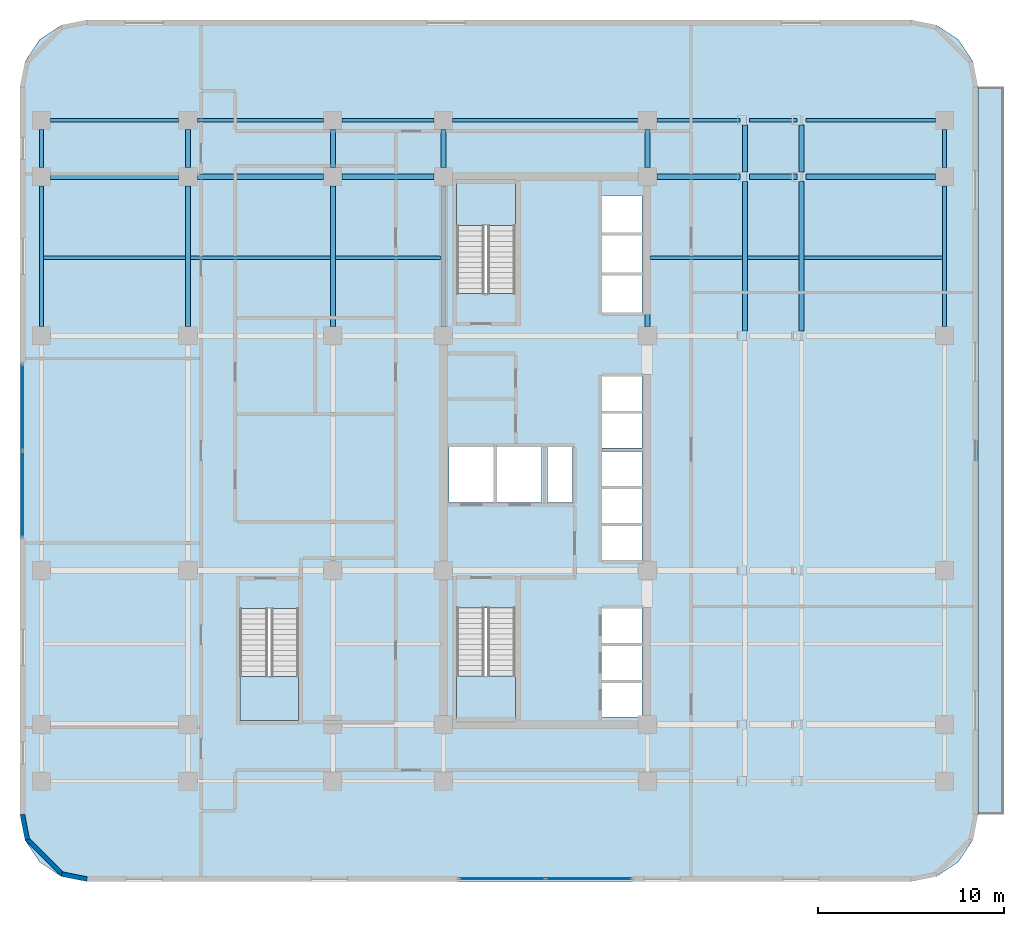
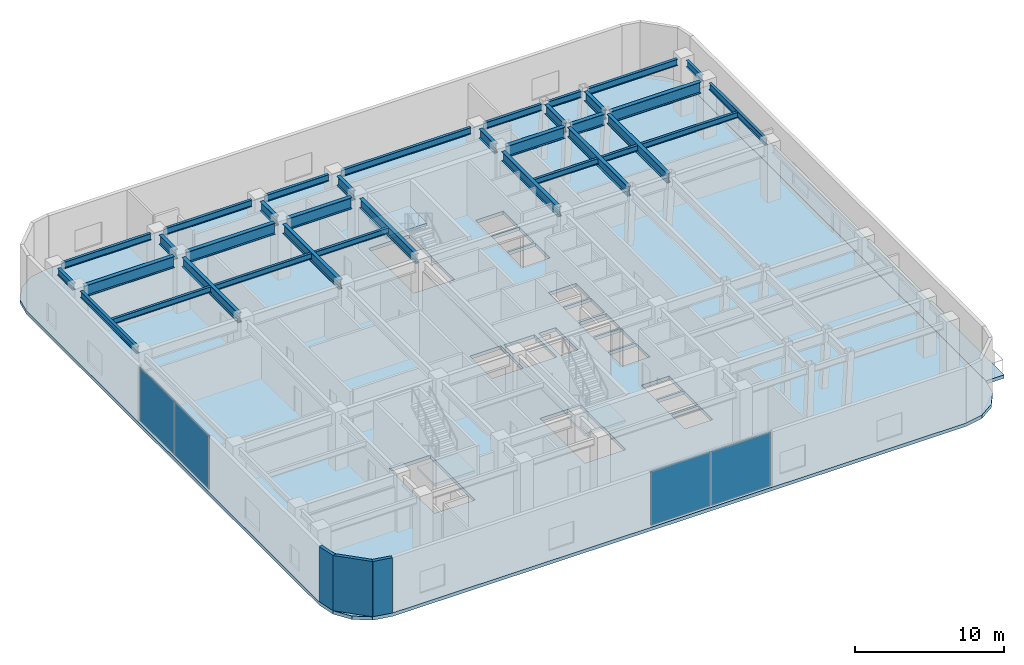
# One storey, part 5 of 12: 35 beams, 5 slabs, 4 plates, 3 walls, 5 elements without a shape of their own.
"""IFC4 building model written with IfcOpenShell, lengths in metres."""

from ifc_helpers import new_model, si_unit, direction, frame, frame_2d, origin, origin_2d, place, context, subcontext, project, spatial, polyline, rectangle, i_section, outline, extrude, material, layer, layer_set, material_profile, profile_set, type_object, element, aggregate, save


model = new_model("IFC4")

# Units and contexts
model_context = context("Model", 3, precision=1e-05, world=origin(), true_north=direction((0.0, 1.0)))
body_context = subcontext(model_context, "Body", "Model", "MODEL_VIEW")
ifc_project = project(units=[si_unit("LENGTHUNIT", "METRE"), si_unit("AREAUNIT", "SQUARE_METRE"), si_unit("VOLUMEUNIT", "CUBIC_METRE"), si_unit("PLANEANGLEUNIT", "RADIAN"), si_unit("MASSUNIT", "GRAM", prefix="KILO")], contexts=[model_context])

# Site, building, storey
site_placement = place(None, origin())
site = spatial("IfcSite", under=ifc_project, at=site_placement, CompositionType="ELEMENT")
building_placement = place(site_placement, origin())
building = spatial("IfcBuilding", under=site, at=building_placement, Name="Ochreholt Gables", CompositionType="ELEMENT")
storey_placement = place(building_placement, frame((0.0, 0.0, 9.60009765625)))
storey = spatial("IfcBuildingStorey", under=building, at=storey_placement, Name="L02", CompositionType="ELEMENT", Elevation=9.60009765625)

# Beams
ifc_material_1 = material(Name="Steel CSA G40.21 350W", Category="steel")
ifc_material_profile_1 = material_profile(ifc_material_1, i_section(OverallWidth=0.26806640625, OverallDepth=0.77001953125, WebThickness=0.015625, FlangeThickness=0.025390625, at=origin_2d()), Name="W760X196")
ifc_profile_set_1 = profile_set([ifc_material_profile_1], Name="Steel CSA G40.21 350W")
beam_type_1 = type_object("IfcBeamType", Name="BM-G-W760", PredefinedType="BEAM", material=ifc_profile_set_1)
beam_1_placement = place(storey_placement, frame((10.449951171875, 30.69970703125, 4.135009765625), z_axis=(0.0, 1.0, 0.0), x_axis=(-1.0, 0.0, 0.0)))
element("IfcBeam", 1, at=beam_1_placement, inside=storey, type_object=beam_type_1, Name="L02 Beam BG-L02-W2-Y4Y5", PredefinedType="BEAM", context=body_context, shape_type="SweptSolid", body=[
    extrude(i_section(OverallWidth=0.26806640625, OverallDepth=0.77001953125, WebThickness=0.015625, FlangeThickness=0.025390625, at=origin_2d()), origin(), (0.0, 0.0, 1.0), 7.55078125),
])
beam_2_placement = place(storey_placement, frame((10.449951171875, 39.24951171875, 4.135009765625), z_axis=(0.0, 1.0, 0.0), x_axis=(-1.0, 0.0, 0.0)))
element("IfcBeam", 2, at=beam_2_placement, inside=storey, type_object=beam_type_1, Name="L02 Beam BG-L02-W2-Y5Y6", PredefinedType="BEAM", context=body_context, shape_type="SweptSolid", body=[
    extrude(i_section(OverallWidth=0.26806640625, OverallDepth=0.77001953125, WebThickness=0.015625, FlangeThickness=0.025390625, at=origin_2d()), origin(), (0.0, 0.0, 1.0), 2.05078125),
])
beam_3_placement = place(storey_placement, frame((18.25, 30.69970703125, 4.135009765625), z_axis=(0.0, 1.0, 0.0), x_axis=(-1.0, 0.0, 0.0)))
element("IfcBeam", 3, at=beam_3_placement, inside=storey, type_object=beam_type_1, Name="L02 Beam BG-L02-W3-Y4Y5", PredefinedType="BEAM", context=body_context, shape_type="SweptSolid", body=[
    extrude(i_section(OverallWidth=0.26806640625, OverallDepth=0.77001953125, WebThickness=0.015625, FlangeThickness=0.025390625, at=origin_2d()), origin(), (0.0, 0.0, 1.0), 7.55078125),
])
beam_4_placement = place(storey_placement, frame((18.25, 39.24951171875, 4.135009765625), z_axis=(0.0, 1.0, 0.0), x_axis=(-1.0, 0.0, 0.0)))
element("IfcBeam", 4, at=beam_4_placement, inside=storey, type_object=beam_type_1, Name="L02 Beam BG-L02-W3-Y5Y6", PredefinedType="BEAM", context=body_context, shape_type="SweptSolid", body=[
    extrude(i_section(OverallWidth=0.26806640625, OverallDepth=0.77001953125, WebThickness=0.015625, FlangeThickness=0.025390625, at=origin_2d()), origin(), (0.0, 0.0, 1.0), 2.05078125),
])
beam_5_placement = place(storey_placement, frame((24.199951171875, 30.69970703125, 4.135009765625), z_axis=(0.0, 1.0, 0.0), x_axis=(-1.0, 0.0, 0.0)))
element("IfcBeam", 5, at=beam_5_placement, inside=storey, type_object=beam_type_1, Name="L02 Beam BG-L02-C1-Y4Y5", PredefinedType="BEAM", context=body_context, shape_type="SweptSolid", body=[
    extrude(i_section(OverallWidth=0.26806640625, OverallDepth=0.77001953125, WebThickness=0.015625, FlangeThickness=0.025390625, at=origin_2d()), origin(), (0.0, 0.0, 1.0), 7.55078125),
])
beam_6_placement = place(storey_placement, frame((24.199951171875, 39.24951171875, 4.135009765625), z_axis=(0.0, 1.0, 0.0), x_axis=(-1.0, 0.0, 0.0)))
element("IfcBeam", 6, at=beam_6_placement, inside=storey, type_object=beam_type_1, Name="L02 Beam BG-L02-C1-Y5Y6", PredefinedType="BEAM", context=body_context, shape_type="SweptSolid", body=[
    extrude(i_section(OverallWidth=0.26806640625, OverallDepth=0.77001953125, WebThickness=0.015625, FlangeThickness=0.025390625, at=origin_2d()), origin(), (0.0, 0.0, 1.0), 2.05078125),
])
beam_7_placement = place(storey_placement, frame((35.199951171875, 30.69970703125, 4.135009765625), z_axis=(0.0, 1.0, 0.0), x_axis=(-1.0, 0.0, 0.0)))
element("IfcBeam", 7, at=beam_7_placement, inside=storey, type_object=beam_type_1, Name="L02 Beam BG-L02-C2-Y4Y5", PredefinedType="BEAM", context=body_context, shape_type="SweptSolid", body=[
    extrude(i_section(OverallWidth=0.26806640625, OverallDepth=0.77001953125, WebThickness=0.015625, FlangeThickness=0.025390625, at=origin_2d()), origin(), (0.0, 0.0, 1.0), 7.55078125),
])
beam_8_placement = place(storey_placement, frame((35.199951171875, 39.24951171875, 4.135009765625), z_axis=(0.0, 1.0, 0.0), x_axis=(-1.0, 0.0, 0.0)))
element("IfcBeam", 8, at=beam_8_placement, inside=storey, type_object=beam_type_1, Name="L02 Beam BG-L02-C2-Y5Y6", PredefinedType="BEAM", context=body_context, shape_type="SweptSolid", body=[
    extrude(i_section(OverallWidth=0.26806640625, OverallDepth=0.77001953125, WebThickness=0.015625, FlangeThickness=0.025390625, at=origin_2d()), origin(), (0.0, 0.0, 1.0), 2.05078125),
])
beam_9_placement = place(storey_placement, frame((40.43994140625, 30.44970703125, 4.135009765625), z_axis=(0.0, 1.0, 0.0), x_axis=(-1.0, 0.0, 0.0)))
element("IfcBeam", 9, at=beam_9_placement, inside=storey, type_object=beam_type_1, Name="L02 Beam BG-L02-EM-Y4Y5", PredefinedType="BEAM", context=body_context, shape_type="SweptSolid", body=[
    extrude(i_section(OverallWidth=0.26806640625, OverallDepth=0.77001953125, WebThickness=0.015625, FlangeThickness=0.025390625, at=origin_2d()), origin(), (0.0, 0.0, 1.0), 8.05078125),
])
beam_10_placement = place(storey_placement, frame((40.43994140625, 38.99951171875, 4.135009765625), z_axis=(0.0, 1.0, 0.0), x_axis=(-1.0, 0.0, 0.0)))
element("IfcBeam", 10, at=beam_10_placement, inside=storey, type_object=beam_type_1, Name="L02 Beam BG-L02-EM-Y5Y6", PredefinedType="BEAM", context=body_context, shape_type="SweptSolid", body=[
    extrude(i_section(OverallWidth=0.26806640625, OverallDepth=0.77001953125, WebThickness=0.015625, FlangeThickness=0.025390625, at=origin_2d()), origin(), (0.0, 0.0, 1.0), 2.55078125),
])
beam_11_placement = place(storey_placement, frame((43.491943359375, 30.44970703125, 4.135009765625), z_axis=(0.0, 1.0, 0.0), x_axis=(-1.0, 0.0, 0.0)))
element("IfcBeam", 11, at=beam_11_placement, inside=storey, type_object=beam_type_1, Name="L02 Beam BG-L02-EE-Y4Y5", PredefinedType="BEAM", context=body_context, shape_type="SweptSolid", body=[
    extrude(i_section(OverallWidth=0.26806640625, OverallDepth=0.77001953125, WebThickness=0.015625, FlangeThickness=0.025390625, at=origin_2d()), origin(), (0.0, 0.0, 1.0), 8.05078125),
])
beam_12_placement = place(storey_placement, frame((43.491943359375, 38.99951171875, 4.135009765625), z_axis=(0.0, 1.0, 0.0), x_axis=(-1.0, 0.0, 0.0)))
element("IfcBeam", 12, at=beam_12_placement, inside=storey, type_object=beam_type_1, Name="L02 Beam BG-L02-EE-Y5Y6", PredefinedType="BEAM", context=body_context, shape_type="SweptSolid", body=[
    extrude(i_section(OverallWidth=0.26806640625, OverallDepth=0.77001953125, WebThickness=0.015625, FlangeThickness=0.025390625, at=origin_2d()), origin(), (0.0, 0.0, 1.0), 2.55078125),
])
ifc_material_profile_2 = material_profile(ifc_material_1, i_section(OverallWidth=0.30810546875, OverallDepth=0.927001953125, WebThickness=0.019287109375, FlangeThickness=0.031982421875, at=origin_2d()), Name="W920X289")
ifc_profile_set_2 = profile_set([ifc_material_profile_2], Name="Steel CSA G40.21 350W")
beam_type_2 = type_object("IfcBeamType", Name="BM-G-W920", PredefinedType="BEAM", material=ifc_profile_set_2)
beam_13_placement = place(storey_placement, frame((3.049560546875, 38.75, 4.056396484375), z_axis=(1.0, 0.0, 0.0), x_axis=(0.0, 1.0, 0.0)))
element("IfcBeam", 13, at=beam_13_placement, inside=storey, type_object=beam_type_2, Name="L02 Beam BG-L02-W1W2-Y5", PredefinedType="BEAM", context=body_context, shape_type="SweptSolid", body=[
    extrude(i_section(OverallWidth=0.30810546875, OverallDepth=0.927001953125, WebThickness=0.019287109375, FlangeThickness=0.031982421875, at=origin_2d()), origin(), (0.0, 0.0, 1.0), 6.90087890625),
])
beam_14_placement = place(storey_placement, frame((10.94970703125, 38.75, 4.056396484375), z_axis=(1.0, 0.0, 0.0), x_axis=(0.0, 1.0, 0.0)))
element("IfcBeam", 14, at=beam_14_placement, inside=storey, type_object=beam_type_2, Name="L02 Beam BG-L02-W2W3-Y5", PredefinedType="BEAM", context=body_context, shape_type="SweptSolid", body=[
    extrude(i_section(OverallWidth=0.30810546875, OverallDepth=0.927001953125, WebThickness=0.019287109375, FlangeThickness=0.031982421875, at=origin_2d()), origin(), (0.0, 0.0, 1.0), 6.80078125),
])
beam_15_placement = place(storey_placement, frame((18.74951171875, 38.75, 4.056396484375), z_axis=(1.0, 0.0, 0.0), x_axis=(0.0, 1.0, 0.0)))
element("IfcBeam", 15, at=beam_15_placement, inside=storey, type_object=beam_type_2, Name="L02 Beam BG-L02-W3C1-Y5", PredefinedType="BEAM", context=body_context, shape_type="SweptSolid", body=[
    extrude(i_section(OverallWidth=0.30810546875, OverallDepth=0.927001953125, WebThickness=0.019287109375, FlangeThickness=0.031982421875, at=origin_2d()), origin(), (0.0, 0.0, 1.0), 4.950927734375),
])
beam_16_placement = place(storey_placement, frame((35.69970703125, 38.75, 4.056396484375), z_axis=(1.0, 0.0, 0.0), x_axis=(0.0, 1.0, 0.0)))
element("IfcBeam", 16, at=beam_16_placement, inside=storey, type_object=beam_type_2, Name="L02 Beam BG-L02-C2EM-Y5", PredefinedType="BEAM", context=body_context, shape_type="SweptSolid", body=[
    extrude(i_section(OverallWidth=0.30810546875, OverallDepth=0.927001953125, WebThickness=0.019287109375, FlangeThickness=0.031982421875, at=origin_2d()), origin(), (0.0, 0.0, 1.0), 4.49072265625),
])
beam_17_placement = place(storey_placement, frame((40.689697265625, 38.75, 4.056396484375), z_axis=(1.0, 0.0, 0.0), x_axis=(0.0, 1.0, 0.0)))
element("IfcBeam", 17, at=beam_17_placement, inside=storey, type_object=beam_type_2, Name="L02 Beam BG-L02-EMEE-Y5", PredefinedType="BEAM", context=body_context, shape_type="SweptSolid", body=[
    extrude(i_section(OverallWidth=0.30810546875, OverallDepth=0.927001953125, WebThickness=0.019287109375, FlangeThickness=0.031982421875, at=origin_2d()), origin(), (0.0, 0.0, 1.0), 2.552734375),
])
beam_18_placement = place(storey_placement, frame((43.74169921875, 38.75, 4.056396484375), z_axis=(1.0, 0.0, 0.0), x_axis=(0.0, 1.0, 0.0)))
element("IfcBeam", 18, at=beam_18_placement, inside=storey, type_object=beam_type_2, Name="L02 Beam BG-L02-EEE3-Y5", PredefinedType="BEAM", context=body_context, shape_type="SweptSolid", body=[
    extrude(i_section(OverallWidth=0.30810546875, OverallDepth=0.927001953125, WebThickness=0.019287109375, FlangeThickness=0.031982421875, at=origin_2d()), origin(), (0.0, 0.0, 1.0), 6.958740234375),
])
ifc_material_profile_3 = material_profile(ifc_material_1, i_section(OverallWidth=0.18994140625, OverallDepth=0.45703125, WebThickness=0.009033203125, FlangeThickness=0.014404296875, at=origin_2d()), Name="W460X74")
ifc_profile_set_3 = profile_set([ifc_material_profile_3], Name="Steel CSA G40.21 350W")
beam_type_3 = type_object("IfcBeamType", Name="BM-J-W460B", PredefinedType="JOIST", material=ifc_profile_set_3)
beam_19_placement = place(storey_placement, frame((2.654052734375, 34.39990234375, 4.29150390625), z_axis=(1.0, 0.0, 0.0), x_axis=(0.0, 1.0, 0.0)))
element("IfcBeam", 19, at=beam_19_placement, inside=storey, type_object=beam_type_3, Name="L02 Beam BJ-L02-J2-W1W2", PredefinedType="JOIST", context=body_context, shape_type="SweptSolid", body=[
    extrude(i_section(OverallWidth=0.18994140625, OverallDepth=0.45703125, WebThickness=0.009033203125, FlangeThickness=0.014404296875, at=origin_2d()), origin(), (0.0, 0.0, 1.0), 7.662353515625),
])
beam_20_placement = place(storey_placement, frame((10.58349609375, 34.39990234375, 4.29150390625), z_axis=(1.0, 0.0, 0.0), x_axis=(0.0, 1.0, 0.0)))
element("IfcBeam", 20, at=beam_20_placement, inside=storey, type_object=beam_type_3, Name="L02 Beam BJ-L02-J2-W2W3", PredefinedType="JOIST", context=body_context, shape_type="SweptSolid", body=[
    extrude(i_section(OverallWidth=0.18994140625, OverallDepth=0.45703125, WebThickness=0.009033203125, FlangeThickness=0.014404296875, at=origin_2d()), origin(), (0.0, 0.0, 1.0), 7.532958984375),
])
beam_21_placement = place(storey_placement, frame((18.383544921875, 34.39990234375, 4.29150390625), z_axis=(1.0, 0.0, 0.0), x_axis=(0.0, 1.0, 0.0)))
element("IfcBeam", 21, at=beam_21_placement, inside=storey, type_object=beam_type_3, Name="L02 Beam BJ-L02-J2-W3C1", PredefinedType="JOIST", context=body_context, shape_type="SweptSolid", body=[
    extrude(i_section(OverallWidth=0.18994140625, OverallDepth=0.45703125, WebThickness=0.009033203125, FlangeThickness=0.014404296875, at=origin_2d()), origin(), (0.0, 0.0, 1.0), 5.682861328125),
])
beam_22_placement = place(storey_placement, frame((35.33349609375, 34.39990234375, 4.29150390625), z_axis=(1.0, 0.0, 0.0), x_axis=(0.0, 1.0, 0.0)))
element("IfcBeam", 22, at=beam_22_placement, inside=storey, type_object=beam_type_3, Name="L02 Beam BJ-L02-J2-C2EM", PredefinedType="JOIST", context=body_context, shape_type="SweptSolid", body=[
    extrude(i_section(OverallWidth=0.18994140625, OverallDepth=0.45703125, WebThickness=0.009033203125, FlangeThickness=0.014404296875, at=origin_2d()), origin(), (0.0, 0.0, 1.0), 4.972900390625),
])
beam_23_placement = place(storey_placement, frame((40.573486328125, 34.39990234375, 4.29150390625), z_axis=(1.0, 0.0, 0.0), x_axis=(0.0, 1.0, 0.0)))
element("IfcBeam", 23, at=beam_23_placement, inside=storey, type_object=beam_type_3, Name="L02 Beam BJ-L02-J2-EMEE", PredefinedType="JOIST", context=body_context, shape_type="SweptSolid", body=[
    extrude(i_section(OverallWidth=0.18994140625, OverallDepth=0.45703125, WebThickness=0.009033203125, FlangeThickness=0.014404296875, at=origin_2d()), origin(), (0.0, 0.0, 1.0), 2.784912109375),
])
beam_24_placement = place(storey_placement, frame((43.62548828125, 34.39990234375, 4.29150390625), z_axis=(1.0, 0.0, 0.0), x_axis=(0.0, 1.0, 0.0)))
element("IfcBeam", 24, at=beam_24_placement, inside=storey, type_object=beam_type_3, Name="L02 Beam BJ-L02-J2-EEE3", PredefinedType="JOIST", context=body_context, shape_type="SweptSolid", body=[
    extrude(i_section(OverallWidth=0.18994140625, OverallDepth=0.45703125, WebThickness=0.009033203125, FlangeThickness=0.014404296875, at=origin_2d()), origin(), (0.0, 0.0, 1.0), 7.470458984375),
])
ifc_material_profile_4 = material_profile(ifc_material_1, i_section(OverallWidth=0.208984375, OverallDepth=0.532958984375, WebThickness=0.01025390625, FlangeThickness=0.015625, at=origin_2d()), Name="W530X92")
ifc_profile_set_4 = profile_set([ifc_material_profile_4], Name="Steel CSA G40.21 350W")
beam_type_4 = type_object("IfcBeamType", Name="BM-SP-W530B", PredefinedType="SPANDREL", material=ifc_profile_set_4)
beam_25_placement = place(storey_placement, frame((3.049560546875, 41.800048828125, 4.25341796875), z_axis=(1.0, 0.0, 0.0), x_axis=(0.0, 1.0, 0.0)))
element("IfcBeam", 25, at=beam_25_placement, inside=storey, type_object=beam_type_4, Name="L02 Beam BG-L02-W1W2-Y6", PredefinedType="SPANDREL", context=body_context, shape_type="SweptSolid", body=[
    extrude(i_section(OverallWidth=0.208984375, OverallDepth=0.532958984375, WebThickness=0.01025390625, FlangeThickness=0.015625, at=origin_2d()), origin(), (0.0, 0.0, 1.0), 6.90087890625),
])
beam_26_placement = place(storey_placement, frame((10.94970703125, 41.800048828125, 4.25341796875), z_axis=(1.0, 0.0, 0.0), x_axis=(0.0, 1.0, 0.0)))
element("IfcBeam", 26, at=beam_26_placement, inside=storey, type_object=beam_type_4, Name="L02 Beam BG-L02-W2W3-Y6", PredefinedType="SPANDREL", context=body_context, shape_type="SweptSolid", body=[
    extrude(i_section(OverallWidth=0.208984375, OverallDepth=0.532958984375, WebThickness=0.01025390625, FlangeThickness=0.015625, at=origin_2d()), origin(), (0.0, 0.0, 1.0), 6.80078125),
])
beam_27_placement = place(storey_placement, frame((18.74951171875, 41.800048828125, 4.25341796875), z_axis=(1.0, 0.0, 0.0), x_axis=(0.0, 1.0, 0.0)))
element("IfcBeam", 27, at=beam_27_placement, inside=storey, type_object=beam_type_4, Name="L02 Beam BG-L02-W3C1-Y6", PredefinedType="SPANDREL", context=body_context, shape_type="SweptSolid", body=[
    extrude(i_section(OverallWidth=0.208984375, OverallDepth=0.532958984375, WebThickness=0.01025390625, FlangeThickness=0.015625, at=origin_2d()), origin(), (0.0, 0.0, 1.0), 4.950927734375),
])
beam_28_placement = place(storey_placement, frame((24.69970703125, 41.800048828125, 4.25341796875), z_axis=(1.0, 0.0, 0.0), x_axis=(0.0, 1.0, 0.0)))
element("IfcBeam", 28, at=beam_28_placement, inside=storey, type_object=beam_type_4, Name="L02 Beam BG-L02-C1C2-Y6", PredefinedType="SPANDREL", context=body_context, shape_type="SweptSolid", body=[
    extrude(i_section(OverallWidth=0.208984375, OverallDepth=0.532958984375, WebThickness=0.01025390625, FlangeThickness=0.015625, at=origin_2d()), origin(), (0.0, 0.0, 1.0), 10.000732421875),
])
beam_29_placement = place(storey_placement, frame((35.69970703125, 41.800048828125, 4.25341796875), z_axis=(1.0, 0.0, 0.0), x_axis=(0.0, 1.0, 0.0)))
element("IfcBeam", 29, at=beam_29_placement, inside=storey, type_object=beam_type_4, Name="L02 Beam BG-L02-C2EM-Y6", PredefinedType="SPANDREL", context=body_context, shape_type="SweptSolid", body=[
    extrude(i_section(OverallWidth=0.208984375, OverallDepth=0.532958984375, WebThickness=0.01025390625, FlangeThickness=0.015625, at=origin_2d()), origin(), (0.0, 0.0, 1.0), 4.49072265625),
])
beam_30_placement = place(storey_placement, frame((40.689697265625, 41.800048828125, 4.25341796875), z_axis=(1.0, 0.0, 0.0), x_axis=(0.0, 1.0, 0.0)))
element("IfcBeam", 30, at=beam_30_placement, inside=storey, type_object=beam_type_4, Name="L02 Beam BG-L02-EMEE-Y6", PredefinedType="SPANDREL", context=body_context, shape_type="SweptSolid", body=[
    extrude(i_section(OverallWidth=0.208984375, OverallDepth=0.532958984375, WebThickness=0.01025390625, FlangeThickness=0.015625, at=origin_2d()), origin(), (0.0, 0.0, 1.0), 2.552734375),
])
beam_31_placement = place(storey_placement, frame((43.74169921875, 41.800048828125, 4.25341796875), z_axis=(1.0, 0.0, 0.0), x_axis=(0.0, 1.0, 0.0)))
element("IfcBeam", 31, at=beam_31_placement, inside=storey, type_object=beam_type_4, Name="L02 Beam BG-L02-EEE3-Y6", PredefinedType="SPANDREL", context=body_context, shape_type="SweptSolid", body=[
    extrude(i_section(OverallWidth=0.208984375, OverallDepth=0.532958984375, WebThickness=0.01025390625, FlangeThickness=0.015625, at=origin_2d()), origin(), (0.0, 0.0, 1.0), 6.958740234375),
])
beam_32_placement = place(storey_placement, frame((2.550048828125, 30.69970703125, 4.25341796875), z_axis=(0.0, 1.0, 0.0), x_axis=(-1.0, 0.0, 0.0)))
element("IfcBeam", 32, at=beam_32_placement, inside=storey, type_object=beam_type_4, Name="L02 Beam BG-L02-W1-Y4Y5", PredefinedType="SPANDREL", context=body_context, shape_type="SweptSolid", body=[
    extrude(i_section(OverallWidth=0.208984375, OverallDepth=0.532958984375, WebThickness=0.01025390625, FlangeThickness=0.015625, at=origin_2d()), origin(), (0.0, 0.0, 1.0), 7.55078125),
])
beam_33_placement = place(storey_placement, frame((2.550048828125, 39.24951171875, 4.25341796875), z_axis=(0.0, 1.0, 0.0), x_axis=(-1.0, 0.0, 0.0)))
element("IfcBeam", 33, at=beam_33_placement, inside=storey, type_object=beam_type_4, Name="L02 Beam BG-L02-W1-Y5Y6", PredefinedType="SPANDREL", context=body_context, shape_type="SweptSolid", body=[
    extrude(i_section(OverallWidth=0.208984375, OverallDepth=0.532958984375, WebThickness=0.01025390625, FlangeThickness=0.015625, at=origin_2d()), origin(), (0.0, 0.0, 1.0), 2.05078125),
])
beam_34_placement = place(storey_placement, frame((51.199951171875, 30.69970703125, 4.25341796875), z_axis=(0.0, 1.0, 0.0), x_axis=(-1.0, 0.0, 0.0)))
element("IfcBeam", 34, at=beam_34_placement, inside=storey, type_object=beam_type_4, Name="L02 Beam BG-L02-E3-Y4Y5", PredefinedType="SPANDREL", context=body_context, shape_type="SweptSolid", body=[
    extrude(i_section(OverallWidth=0.208984375, OverallDepth=0.532958984375, WebThickness=0.01025390625, FlangeThickness=0.015625, at=origin_2d()), origin(), (0.0, 0.0, 1.0), 7.55078125),
])
beam_35_placement = place(storey_placement, frame((51.199951171875, 39.24951171875, 4.25341796875), z_axis=(0.0, 1.0, 0.0), x_axis=(-1.0, 0.0, 0.0)))
element("IfcBeam", 35, at=beam_35_placement, inside=storey, type_object=beam_type_4, Name="L02 Beam BG-L02-E3-Y5Y6", PredefinedType="SPANDREL", context=body_context, shape_type="SweptSolid", body=[
    extrude(i_section(OverallWidth=0.208984375, OverallDepth=0.532958984375, WebThickness=0.01025390625, FlangeThickness=0.015625, at=origin_2d()), origin(), (0.0, 0.0, 1.0), 2.05078125),
])

# Curtain wall, plates
ifc_material_2 = material(Name="Unitised Aluminium and Triple Glazing", Category="aluminium")
ifc_layer_1 = layer(ifc_material_2, 0.199951171875, Name="Unitised Aluminium and Triple Glazing")
ifc_layer_set_1 = layer_set([ifc_layer_1], Name="Unitised Aluminium and Triple Glazing")
curtain_wall_type = type_object("IfcCurtainWallType", Name="CW-SYS1", PredefinedType="NOTDEFINED", material=ifc_layer_set_1)
curtain_wall_1_placement = place(storey_placement, origin())
curtain_wall_1 = element("IfcCurtainWall", 36, at=curtain_wall_1_placement, inside=storey, type_object=curtain_wall_type, Name="L02 South Unitised Curtain Wall", PredefinedType="NOTDEFINED")
ifc_material_3 = material(Name="Triple Low-E Insulating Glass", Category="glass")
ifc_layer_2 = layer(ifc_material_3, 0.035888671875, Name="Triple Low-E Insulating Glass")
ifc_layer_set_2 = layer_set([ifc_layer_2], Name="Triple Low-E Insulating Glass")
plate_type = type_object("IfcPlateType", Name="CW-PNL-36", PredefinedType="CURTAIN_PANEL", material=ifc_layer_set_2)
plate_1_placement = place(storey_placement, frame((27.36865234375, 0.945068359375, 0.074951171875), z_axis=(0.0, 0.0, 1.0), x_axis=(1.0, 0.0, 0.0)))
plate_1 = element("IfcPlate", 37, at=plate_1_placement, type_object=plate_type, Name="CW-1 panel 1.1", PredefinedType="CURTAIN_PANEL", context=body_context, shape_type="SweptSolid", body=[
    extrude(rectangle(XDim=4.58740234375, YDim=0.035888671875, at=origin_2d()), origin(), (0.0, 0.0, 1.0), 4.3701171875),
])
plate_2_placement = place(storey_placement, frame((32.03125, 0.945068359375, 0.074951171875), z_axis=(0.0, 0.0, 1.0), x_axis=(1.0, 0.0, 0.0)))
plate_2 = element("IfcPlate", 38, at=plate_2_placement, type_object=plate_type, Name="CW-1 panel 2.1", PredefinedType="CURTAIN_PANEL", context=body_context, shape_type="SweptSolid", body=[
    extrude(rectangle(XDim=4.58740234375, YDim=0.035888671875, at=origin_2d()), origin(), (0.0, 0.0, 1.0), 4.3701171875),
])
aggregate(curtain_wall_1, [plate_1, plate_2])

curtain_wall_2_placement = place(storey_placement, origin())
curtain_wall_2 = element("IfcCurtainWall", 39, at=curtain_wall_2_placement, inside=storey, type_object=curtain_wall_type, Name="L02 West Unitised Curtain Wall", PredefinedType="NOTDEFINED")
plate_3_placement = place(storey_placement, frame((1.544921875, 26.339599609375, 0.074951171875), z_axis=(0.0, 0.0, 1.0), x_axis=(0.0, -1.0, 0.0)))
plate_3 = element("IfcPlate", 40, at=plate_3_placement, type_object=plate_type, Name="CW-1 panel 1.1", PredefinedType="CURTAIN_PANEL", context=body_context, shape_type="SweptSolid", body=[
    extrude(rectangle(XDim=4.604248046875, YDim=0.035888671875, at=origin_2d()), origin(), (0.0, 0.0, 1.0), 4.3701171875),
])
plate_4_placement = place(storey_placement, frame((1.544921875, 21.660400390625, 0.074951171875), z_axis=(0.0, 0.0, 1.0), x_axis=(0.0, -1.0, 0.0)))
plate_4 = element("IfcPlate", 41, at=plate_4_placement, type_object=plate_type, Name="CW-1 panel 2.1", PredefinedType="CURTAIN_PANEL", context=body_context, shape_type="SweptSolid", body=[
    extrude(rectangle(XDim=4.604248046875, YDim=0.035888671875, at=origin_2d()), origin(), (0.0, 0.0, 1.0), 4.3701171875),
])
aggregate(curtain_wall_2, [plate_3, plate_4])

# Stair, slab
ifc_material_4 = material(Name="Concrete 40 MPa", Category="concrete")
stair_type_1 = type_object("IfcStairType", Name="STAIR-CORE-ST-1", PredefinedType="HALF_TURN_STAIR", material=ifc_material_4)
stair_1_placement = place(storey_placement, origin())
stair_1 = element("IfcStair", 42, at=stair_1_placement, inside=storey, type_object=stair_type_1, Name="L02 Core Exit Stair 1", PredefinedType="HALF_TURN_STAIR")
ifc_layer_3 = layer(ifc_material_4, 0.199951171875, Name="Concrete 40 MPa")
ifc_layer_set_3 = layer_set([ifc_layer_3], Name="Concrete 40 MPa")
slab_type_1 = type_object("IfcSlabType", Name="LANDING-RC200", PredefinedType="LANDING", material=ifc_layer_set_3)
slab_1_placement = place(storey_placement, frame((0.0, 0.0, 2.199951171875)))
slab_1 = element("IfcSlab", 43, at=slab_1_placement, type_object=slab_type_1, Name="ST-1 landing 1", PredefinedType="LANDING", context=body_context, shape_type="SweptSolid", body=[
    extrude(outline(polyline([(24.919921875, 11.8740234375), (24.919921875, 9.52001953125), (28.080078125, 9.52001953125), (28.080078125, 11.8740234375), (24.919921875, 11.8740234375)])), origin(), (0.0, 0.0, 1.0), 0.199951171875),
])
aggregate(stair_1, [slab_1])

stair_type_2 = type_object("IfcStairType", Name="STAIR-CORE-ST-2", PredefinedType="HALF_TURN_STAIR", material=ifc_material_4)
stair_2_placement = place(storey_placement, origin())
stair_2 = element("IfcStair", 44, at=stair_2_placement, inside=storey, type_object=stair_type_2, Name="L02 Core Exit Stair 2", PredefinedType="HALF_TURN_STAIR")
slab_2_placement = place(storey_placement, frame((0.0, 0.0, 2.199951171875)))
slab_2 = element("IfcSlab", 45, at=slab_2_placement, type_object=slab_type_1, Name="ST-2 landing 1", PredefinedType="LANDING", context=body_context, shape_type="SweptSolid", body=[
    extrude(outline(polyline([(28.080078125, 36.1259765625), (28.080078125, 38.47998046875), (24.919921875, 38.47998046875), (24.919921875, 36.1259765625), (28.080078125, 36.1259765625)])), origin(), (0.0, 0.0, 1.0), 0.199951171875),
])
aggregate(stair_2, [slab_2])

stair_type_3 = type_object("IfcStairType", Name="STAIR-CORE-ST-P1", PredefinedType="HALF_TURN_STAIR", material=ifc_material_4)
stair_3_placement = place(storey_placement, origin())
stair_3 = element("IfcStair", 46, at=stair_3_placement, inside=storey, type_object=stair_type_3, Name="L02 Podium Exit Stair 3", PredefinedType="HALF_TURN_STAIR")
slab_3_placement = place(storey_placement, frame((0.0, 0.0, 2.199951171875)))
slab_3 = element("IfcSlab", 47, at=slab_3_placement, type_object=slab_type_1, Name="ST-P1 landing 1", PredefinedType="LANDING", context=body_context, shape_type="SweptSolid", body=[
    extrude(outline(polyline([(13.25, 11.833984375), (13.25, 9.47998046875), (16.409912109375, 9.47998046875), (16.409912109375, 11.833984375), (13.25, 11.833984375)])), origin(), (0.0, 0.0, 1.0), 0.199951171875),
])
aggregate(stair_3, [slab_3])

# Slabs
ifc_material_5 = material(Name="Concrete 50 MPa", Category="concrete")
ifc_layer_4 = layer(ifc_material_5, 0.280029296875, Name="Concrete 50 MPa")
ifc_layer_set_4 = layer_set([ifc_layer_4], Name="Concrete 50 MPa")
slab_type_2 = type_object("IfcSlabType", Name="SLAB-POD-280", PredefinedType="FLOOR", material=ifc_layer_set_4)
slab_4_placement = place(storey_placement, frame((0.0, 0.0, -0.280029296875)))
element("IfcSlab", 48, at=slab_4_placement, inside=storey, type_object=slab_type_2, Name="L02 Structural Floor Slab", PredefinedType="FLOOR", context=body_context, shape_type="SweptSolid", body=[
    extrude(outline(polyline([(1.39990234375, 4.39990234375), (1.674072265625, 3.022216796875), (2.454345703125, 1.8544921875), (3.622314453125, 1.073974609375), (5.0, 0.800048828125), (49.39990234375, 0.800048828125), (50.777587890625, 1.073974609375), (51.945556640625, 1.8544921875), (52.72607421875, 3.022216796875), (53.0, 4.39990234375), (53.0, 43.60009765625), (52.72607421875, 44.977783203125), (51.945556640625, 46.1455078125), (50.777587890625, 46.926025390625), (49.39990234375, 47.199951171875), (5.0, 47.199951171875), (3.622314453125, 46.926025390625), (2.454345703125, 46.1455078125), (1.674072265625, 44.977783203125), (1.39990234375, 43.60009765625), (1.39990234375, 4.39990234375)]), holes=[polyline([(24.919921875, 15.539306640625), (24.919921875, 9.52001953125), (28.080078125, 9.52001953125), (28.080078125, 15.539306640625), (24.919921875, 15.539306640625)]), polyline([(28.080078125, 32.460693359375), (28.080078125, 38.47998046875), (24.919921875, 38.47998046875), (24.919921875, 32.460693359375), (28.080078125, 32.460693359375)]), polyline([(13.25, 15.499267578125), (13.25, 9.47998046875), (16.409912109375, 9.47998046875), (16.409912109375, 15.499267578125), (13.25, 15.499267578125)]), polyline([(24.5, 21.199951171875), (26.89990234375, 21.199951171875), (26.89990234375, 24.199951171875), (24.5, 24.199951171875), (24.5, 21.199951171875)]), polyline([(27.10009765625, 21.199951171875), (29.5, 21.199951171875), (29.5, 24.199951171875), (27.10009765625, 24.199951171875), (27.10009765625, 21.199951171875)]), polyline([(32.75, 9.64990234375), (34.89990234375, 9.64990234375), (34.89990234375, 11.5), (32.75, 11.5), (32.75, 9.64990234375)]), polyline([(32.75, 11.64990234375), (34.89990234375, 11.64990234375), (34.89990234375, 13.5), (32.75, 13.5), (32.75, 11.64990234375)]), polyline([(32.75, 13.64990234375), (34.89990234375, 13.64990234375), (34.89990234375, 15.5), (32.75, 15.5), (32.75, 13.64990234375)]), polyline([(32.75, 18.10009765625), (34.89990234375, 18.10009765625), (34.89990234375, 19.949951171875), (32.75, 19.949951171875), (32.75, 18.10009765625)]), polyline([(32.75, 20.10009765625), (34.89990234375, 20.10009765625), (34.89990234375, 21.949951171875), (32.75, 21.949951171875), (32.75, 20.10009765625)]), polyline([(32.75, 22.10009765625), (34.89990234375, 22.10009765625), (34.89990234375, 23.949951171875), (32.75, 23.949951171875), (32.75, 22.10009765625)]), polyline([(32.75, 24.14990234375), (34.89990234375, 24.14990234375), (34.89990234375, 26.0), (32.75, 26.0), (32.75, 24.14990234375)]), polyline([(32.75, 26.14990234375), (34.89990234375, 26.14990234375), (34.89990234375, 28.0), (32.75, 28.0), (32.75, 26.14990234375)]), polyline([(32.75, 31.449951171875), (34.89990234375, 31.449951171875), (34.89990234375, 33.449951171875), (32.75, 33.449951171875), (32.75, 31.449951171875)]), polyline([(32.75, 33.60009765625), (34.89990234375, 33.60009765625), (34.89990234375, 35.60009765625), (32.75, 35.60009765625), (32.75, 33.60009765625)]), polyline([(32.75, 35.75), (34.89990234375, 35.75), (34.89990234375, 37.75), (32.75, 37.75), (32.75, 35.75)]), polyline([(29.800048828125, 21.199951171875), (31.14990234375, 21.199951171875), (31.14990234375, 24.199951171875), (29.800048828125, 24.199951171875), (29.800048828125, 21.199951171875)])]), origin(), (0.0, 0.0, 1.0), 0.280029296875),
])
ifc_material_6 = material(Name="Concrete 45 MPa", Category="concrete")
ifc_layer_5 = layer(ifc_material_6, 0.280029296875, Name="Concrete 45 MPa")
ifc_layer_set_5 = layer_set([ifc_layer_5], Name="Concrete 45 MPa")
slab_type_3 = type_object("IfcSlabType", Name="SLAB-TER-280", PredefinedType="FLOOR", material=ifc_layer_set_5)
slab_5_placement = place(storey_placement, frame((0.0, 0.0, -0.280029296875)))
element("IfcSlab", 49, at=slab_5_placement, inside=storey, type_object=slab_type_3, Name="L02 Outdoor Terrace Slab TR-L02-E", PredefinedType="FLOOR", context=body_context, shape_type="SweptSolid", body=[
    extrude(outline(polyline([(53.000244140625, 4.39990234375), (54.39990234375, 4.39990234375), (54.39990234375, 43.60009765625), (53.000244140625, 43.60009765625), (53.000244140625, 4.39990234375)])), origin(), (0.0, 0.0, 1.0), 0.280029296875),
])

# Walls
ifc_material_7 = material(Name="Precast concrete 40 MPa", Category="concrete")
ifc_layer_6 = layer(ifc_material_7, 0.25, Name="Precast concrete 40 MPa")
ifc_layer_set_6 = layer_set([ifc_layer_6], Name="Precast concrete 40 MPa")
wall_type = type_object("IfcWallType", Name="WALL-EXT-CNR", PredefinedType="SOLIDWALL", material=ifc_layer_set_6)
wall_1_placement = place(storey_placement, frame((1.524169921875, 4.41650390625, 0.0), z_axis=(0.0, 0.0, 1.0), x_axis=(0.19496651342, -0.980809899341, 0.0)))
element("IfcWall", 50, at=wall_1_placement, inside=storey, type_object=wall_type, Name="L02 Rounded Corner Wall SW-1", PredefinedType="SOLIDWALL", context=body_context, shape_type="SweptSolid", body=[
    extrude(rectangle(XDim=1.388671875, YDim=0.25, at=frame_2d((0.6943359375, 0.0))), origin(), (0.0, 0.0, 1.0), 4.52001953125),
])
wall_2_placement = place(storey_placement, frame((1.76806640625, 3.10498046875, 0.0), z_axis=(0.0, 0.0, 1.0), x_axis=(0.707106781187, -0.707106781187, 0.0)))
element("IfcWall", 51, at=wall_2_placement, inside=storey, type_object=wall_type, Name="L02 Rounded Corner Wall SW-2", PredefinedType="SOLIDWALL", context=body_context, shape_type="SweptSolid", body=[
    extrude(rectangle(XDim=2.7392578125, YDim=0.25, at=frame_2d((1.36962890625, 0.0))), origin(), (0.0, 0.0, 1.0), 4.52001953125),
])
wall_3_placement = place(storey_placement, frame((3.654541015625, 1.195068359375, 0.0), z_axis=(0.0, 0.0, 1.0), x_axis=(0.980809899341, -0.19496651342, 0.0)))
element("IfcWall", 52, at=wall_3_placement, inside=storey, type_object=wall_type, Name="L02 Rounded Corner Wall SW-3", PredefinedType="SOLIDWALL", context=body_context, shape_type="SweptSolid", body=[
    extrude(rectangle(XDim=1.388671875, YDim=0.25, at=frame_2d((0.6943359375, 0.0))), origin(), (0.0, 0.0, 1.0), 4.52001953125),
])

save(model, "model.ifc")
